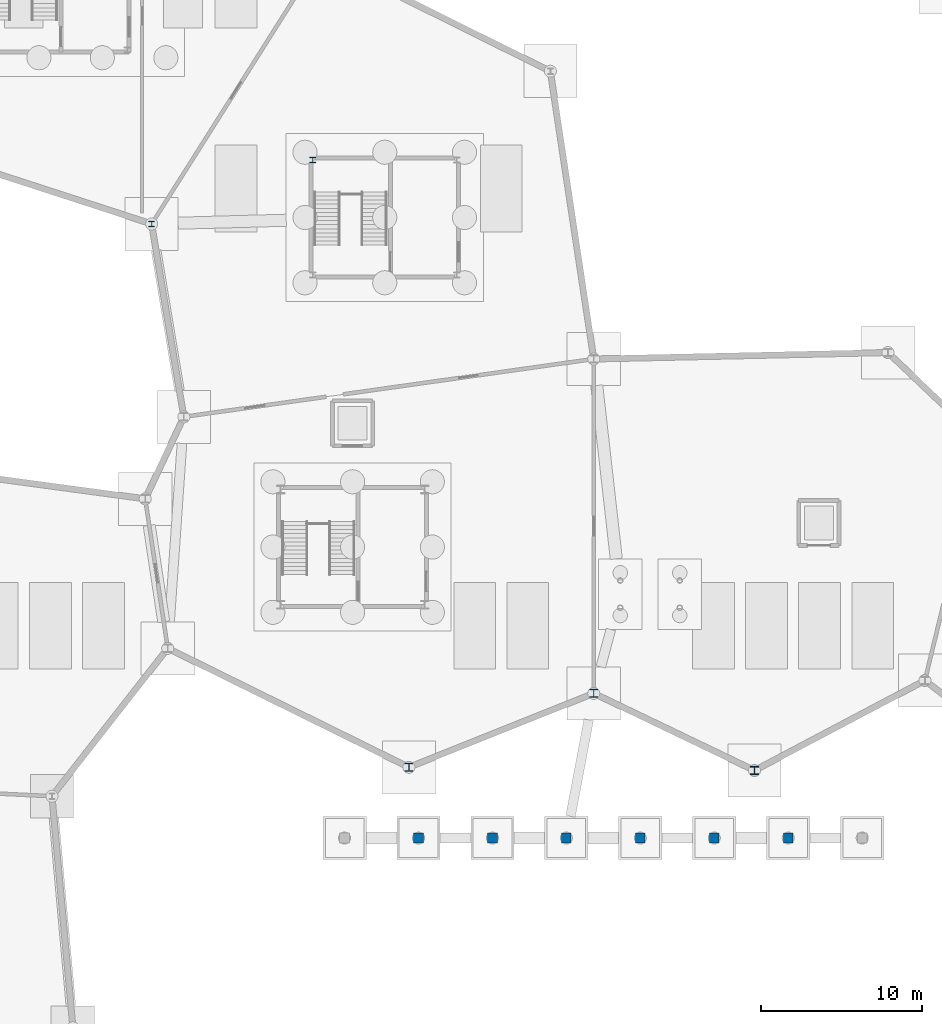
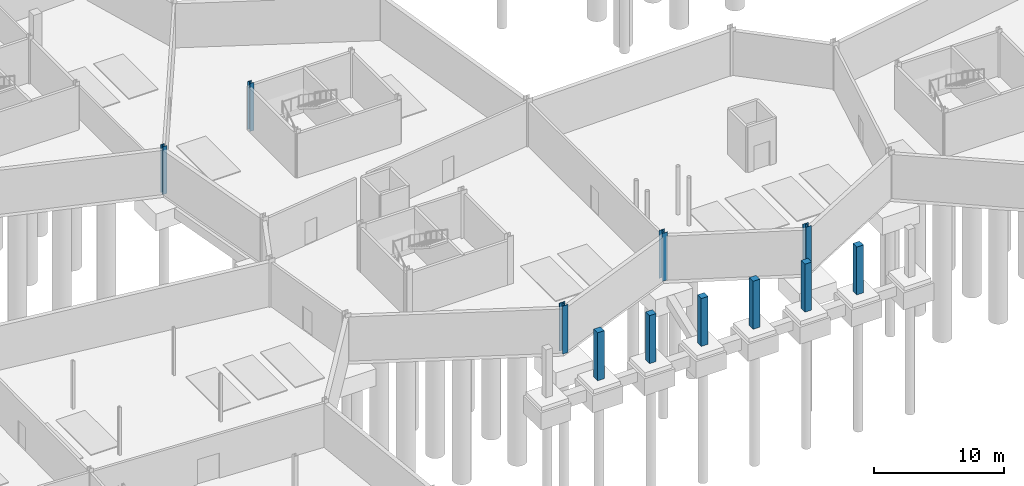
# One storey, part 11 of 37: 11 columns.
"""IFC4 building model written with IfcOpenShell, lengths in metres."""

import ifcopenshell
import ifcopenshell.guid

model = None  # the IFC model being written
_history = None  # IfcOwnerHistory: only IFC2X3 demands one
_inside = {}  # id of a spatial element -> (the spatial element, [elements in it])
_under = {}  # id of a project, library or spatial element -> (it, [spatial elements below it])
_declared = {}  # id of a project -> (the project, [libraries it declares])
_typed = {}  # id of a type object -> (the type object, [elements of that type])
_made_of = {}  # id of a material, layer set ... -> (it, [elements and type objects made of it])


def new_model(schema):
    """Start an empty IFC model of exactly this schema.

    Asked for "IFC4X3", IfcOpenShell would pick the latest addendum, in which some entities
    have other attributes; the version numbers below select the first issue.
    IFC2X3 requires an IfcOwnerHistory on every rooted entity: one is made here for all.
    """
    global model, _history
    if schema == "IFC4X3":
        model = ifcopenshell.file(schema_version=(4, 3, 0, 0))
    else:
        model = ifcopenshell.file(schema=schema)
    _inside.clear()
    _under.clear()
    _declared.clear()
    _typed.clear()
    _made_of.clear()
    _history = None
    if model.schema == "IFC2X3":
        org = make("IfcOrganization", Name="unknown")
        user = make(
            "IfcPersonAndOrganization",
            ThePerson=make("IfcPerson", FamilyName="unknown"),
            TheOrganization=org,
        )
        app = make(
            "IfcApplication",
            ApplicationDeveloper=org,
            Version="unknown",
            ApplicationFullName="unknown",
            ApplicationIdentifier="unknown",
        )
        _history = make(
            "IfcOwnerHistory",
            OwningUser=user,
            OwningApplication=app,
            ChangeAction="ADDED",
            CreationDate=0,
        )
    return model


def make(cls, **values):
    """One entity of the class cls with the attributes given. An attribute that is None is left unset."""
    return model.create_entity(
        cls, **{name: value for name, value in values.items() if value is not None}
    )


def rooted(cls, **values):
    """An entity with a GlobalId (a new one), such as an element, a storey or a relation."""
    return make(cls, GlobalId=ifcopenshell.guid.new(), OwnerHistory=_history, **values)


def si_unit(unit_type, name, prefix=None):
    """IfcSIUnit, for example si_unit("LENGTHUNIT", "METRE", prefix="MILLI")."""
    return make("IfcSIUnit", UnitType=unit_type, Prefix=prefix, Name=name)


def assignment(units):
    """IfcUnitAssignment: the units of a project."""
    return None if units is None else make("IfcUnitAssignment", Units=units)


def point(xyz):
    """IfcCartesianPoint."""
    return None if xyz is None else make("IfcCartesianPoint", Coordinates=xyz)


def direction(xyz):
    """IfcDirection."""
    return None if xyz is None else make("IfcDirection", DirectionRatios=xyz)


def frame(location, z_axis=None, x_axis=None):
    """IfcAxis2Placement3D, a coordinate frame: its origin and axes. An axis left out is left unset."""
    return make(
        "IfcAxis2Placement3D",
        Location=point(location),
        Axis=direction(z_axis),
        RefDirection=direction(x_axis),
    )


def frame_2d(location, x_axis=None):
    """IfcAxis2Placement2D, a coordinate frame in the plane: its origin and x axis."""
    return make(
        "IfcAxis2Placement2D", Location=point(location), RefDirection=direction(x_axis)
    )


def origin():
    """The frame at (0, 0, 0) with its axes left unset."""
    return frame((0.0, 0.0, 0.0))


def origin_2d():
    """The frame at (0, 0) in the plane with its x axis left unset."""
    return frame_2d((0.0, 0.0))


def place(relative_to, where):
    """IfcLocalPlacement: puts the frame where relative to a parent placement (None: the world)."""
    return make(
        "IfcLocalPlacement", PlacementRelTo=relative_to, RelativePlacement=where
    )


def context(
    kind, dimensions, precision=None, world=None, true_north=None, identifier=None
):
    """IfcGeometricRepresentationContext, for example the 3D "Model" context."""
    return make(
        "IfcGeometricRepresentationContext",
        ContextIdentifier=identifier,
        ContextType=kind,
        CoordinateSpaceDimension=dimensions,
        Precision=precision,
        WorldCoordinateSystem=world,
        TrueNorth=true_north,
    )


def subcontext(parent, identifier, kind, view, scale=None):
    """IfcGeometricRepresentationSubContext, for example "Body" below "Model"."""
    return make(
        "IfcGeometricRepresentationSubContext",
        ContextIdentifier=identifier,
        ContextType=kind,
        ParentContext=parent,
        TargetScale=scale,
        TargetView=view,
    )


def project(units=None, contexts=None):
    """IfcProject with its units and contexts."""
    return rooted(
        "IfcProject",
        Name="project",
        RepresentationContexts=contexts,
        UnitsInContext=assignment(units),
    )


def spatial(cls, under=None, at=None, **own):
    """A site, building, storey or space (cls), placed at a placement, below another one or the project."""
    s = rooted(cls, ObjectPlacement=at, **own)
    if under is not None:
        _under.setdefault(under.id(), (under, []))[1].append(s)
    return s


def profile(cls, at=None, kind="AREA", **sizes):
    """A parametric profile (cls). Its sizes go by their IFC names, for example OverallWidth=200.0."""
    return make(cls, ProfileType=kind, Position=at, **sizes)


def rectangle(**sizes):
    """IfcRectangleProfileDef."""
    return profile("IfcRectangleProfileDef", **sizes)


def i_section(**sizes):
    """IfcIShapeProfileDef."""
    return profile("IfcIShapeProfileDef", **sizes)


def extrude(swept, where, along, depth):
    """IfcExtrudedAreaSolid: the profile swept, set in the frame where, extruded along a direction by depth."""
    return make(
        "IfcExtrudedAreaSolid",
        SweptArea=swept,
        Position=where,
        ExtrudedDirection=direction(along),
        Depth=depth,
    )


def shape(context_of_items, identifier, shape_type, items):
    """IfcShapeRepresentation: the items that make up one representation, for example the "Body"."""
    return make(
        "IfcShapeRepresentation",
        ContextOfItems=context_of_items,
        RepresentationIdentifier=identifier,
        RepresentationType=shape_type,
        Items=items,
    )


def material(Name=None, Category=None):
    """IfcMaterial."""
    return make("IfcMaterial", Name=Name, Category=Category)


def material_profile(
    of_material, cross_section, Name=None, Category=None, Priority=None
):
    """IfcMaterialProfile: a cross section and its material."""
    return make(
        "IfcMaterialProfile",
        Name=Name,
        Material=of_material,
        Profile=cross_section,
        Priority=Priority,
        Category=Category,
    )


def profile_set(profiles, Name=None, composite=None):
    """IfcMaterialProfileSet."""
    return make(
        "IfcMaterialProfileSet",
        Name=Name,
        MaterialProfiles=profiles,
        CompositeProfile=composite,
    )


def made_of(thing, what):
    """Note that an element or type object is made of a material, layer set ...; save() writes the relation."""
    if what is not None:
        _made_of.setdefault(what.id(), (what, []))[1].append(thing)
    return thing


def type_object(cls, material=None, **own):
    """A type object (cls), such as IfcWallType, which elements share."""
    return made_of(rooted(cls, **own), material)


def element(
    cls,
    number,
    at=None,
    inside=None,
    cuts=None,
    type_object=None,
    material=None,
    context=None,
    identifier="Body",
    shape_type=None,
    held_by="IfcProductDefinitionShape",
    body=None,
    shapes=None,
    **own,
):
    """One element of the class cls, such as IfcWall. Its Tag is "e" and its number.

    at: its placement. inside: the storey or other place that contains it. cuts: it is an
    opening in that element (IfcRelVoidsElement). A single representation is given by context,
    identifier, shape_type and body (its items); several are given by shapes. held_by: the class
    of the entity that holds the representations. save() writes the other relations.
    """
    e = rooted(cls, Tag="e%d" % number, ObjectPlacement=at, **own)
    if body is not None:
        shapes = [shape(context, identifier, shape_type, body)]
    if shapes is not None:
        e.Representation = make(held_by, Representations=shapes)
    if inside is not None:
        _inside.setdefault(inside.id(), (inside, []))[1].append(e)
    if cuts is not None:
        rooted(
            "IfcRelVoidsElement", RelatingBuildingElement=cuts, RelatedOpeningElement=e
        )
    if type_object is not None:
        _typed.setdefault(type_object.id(), (type_object, []))[1].append(e)
    return made_of(e, material)


def aggregate(whole, parts):
    """IfcRelAggregates: a whole, such as a stair, and the parts it consists of."""
    return rooted("IfcRelAggregates", RelatingObject=whole, RelatedObjects=parts)


def save(model, path):
    """Write the relations noted so far, then the file.

    IfcRelAggregates (storeys below a building ...), IfcRelContainedInSpatialStructure (elements
    in a storey), IfcRelDefinesByType, IfcRelAssociatesMaterial and IfcRelDeclares: one each for
    every whole, place, type object, material and project.
    """
    for whole, parts in _under.values():
        aggregate(whole, parts)
    for where, things in _inside.values():
        rooted(
            "IfcRelContainedInSpatialStructure",
            RelatedElements=things,
            RelatingStructure=where,
        )
    for kind, things in _typed.values():
        rooted("IfcRelDefinesByType", RelatedObjects=things, RelatingType=kind)
    for what, things in _made_of.values():
        rooted("IfcRelAssociatesMaterial", RelatedObjects=things, RelatingMaterial=what)
    for by, libraries in _declared.values():
        rooted("IfcRelDeclares", RelatingContext=by, RelatedDefinitions=libraries)
    model.write(path)


model = new_model("IFC4")

# Units and contexts
model_context = context("Model", 3, precision=1e-05, world=origin(), true_north=direction((0.0, 1.0)))
body_context = subcontext(model_context, "Body", "Model", "MODEL_VIEW")
ifc_project = project(units=[si_unit("LENGTHUNIT", "METRE"), si_unit("AREAUNIT", "SQUARE_METRE"), si_unit("VOLUMEUNIT", "CUBIC_METRE"), si_unit("PLANEANGLEUNIT", "RADIAN"), si_unit("MASSUNIT", "GRAM", prefix="KILO")], contexts=[model_context])

# Site, building, storey
site_placement = place(None, origin())
site = spatial("IfcSite", under=ifc_project, at=site_placement, CompositionType="ELEMENT")
building_placement = place(site_placement, origin())
building = spatial("IfcBuilding", under=site, at=building_placement, Name="Tameran Prism Museum", CompositionType="ELEMENT")
storey_placement = place(building_placement, frame((0.0, 0.0, -4.5)))
storey = spatial("IfcBuildingStorey", under=building, at=storey_placement, Name="B1", CompositionType="ELEMENT", Elevation=-4.5)

# Columns
ifc_material_1 = material(Name="Concrete N50 (50 MPa)", Category="concrete")
ifc_material_profile_1 = material_profile(ifc_material_1, rectangle(XDim=0.60009765625, YDim=0.60009765625, at=origin_2d()))
ifc_profile_set_1 = profile_set([ifc_material_profile_1])
column_type_1 = type_object("IfcColumnType", Name="COL-RC600", PredefinedType="COLUMN", material=ifc_profile_set_1)
for number, where, z_axis, x_axis, name in (
    (1, (66.60009765625, 18.39990234375, 0.0), (0.0, 0.0, 1.0), (1.0, 0.0, 0.0), "Column CP-02 B1"),
    (2, (71.199951171875, 18.39990234375, 0.0), (0.0, 0.0, 1.0), (1.0, 0.0, 0.0), "Column CP-03 B1"),
    (3, (75.800048828125, 18.39990234375, 0.0), (0.0, 0.0, 1.0), (1.0, 0.0, 0.0), "Column CP-04 B1"),
    (4, (80.39990234375, 18.39990234375, 0.0), (0.0, 0.0, 1.0), (1.0, 0.0, 0.0), "Column CP-05 B1"),
    (5, (85.0, 18.39990234375, 0.0), (0.0, 0.0, 1.0), (1.0, 0.0, 0.0), "Column CP-06 B1"),
    (6, (89.60009765625, 18.39990234375, 0.0), (0.0, 0.0, 1.0), (1.0, 0.0, 0.0), "Column CP-07 B1"),
):
    element("IfcColumn", number, at=place(storey_placement, frame(where, z_axis=z_axis, x_axis=x_axis)), inside=storey, type_object=column_type_1, Name=name, PredefinedType="COLUMN", context=body_context, shape_type="SweptSolid", body=[
        extrude(rectangle(XDim=0.60009765625, YDim=0.60009765625, at=origin_2d()), origin(), (0.0, 0.0, 1.0), 4.5),
    ])
ifc_material_2 = material(Name="Steel Grade 350 (350 MPa)", Category="steel")
ifc_material_profile_2 = material_profile(ifc_material_2, i_section(OverallWidth=0.35009765625, OverallDepth=0.35009765625, WebThickness=0.02001953125, FlangeThickness=0.028076171875, at=origin_2d()))
ifc_profile_set_2 = profile_set([ifc_material_profile_2])
column_type_2 = type_object("IfcColumnType", Name="COL-WC350", PredefinedType="COLUMN", material=ifc_profile_set_2)
for number, where, z_axis, x_axis, name in (
    (7, (50.0, 56.60009765625, 0.0), (0.0, 0.0, 1.0), (1.0, 0.0, 0.0), "Column CV-26 B1"),
    (8, (60.02001953125, 60.580078125, 0.0), (0.0, 0.0, 1.0), (1.0, 0.0, 0.0), "Column CC-8-4 B1"),
):
    element("IfcColumn", number, at=place(storey_placement, frame(where, z_axis=z_axis, x_axis=x_axis)), inside=storey, type_object=column_type_2, Name=name, PredefinedType="COLUMN", context=body_context, shape_type="SweptSolid", body=[
        extrude(i_section(OverallWidth=0.35009765625, OverallDepth=0.35009765625, WebThickness=0.02001953125, FlangeThickness=0.028076171875, at=origin_2d()), origin(), (0.0, 0.0, 1.0), 4.5),
    ])
ifc_material_3 = material(Name="Steel Grade 350 (350 MPa)", Category="steel")
ifc_material_profile_3 = material_profile(ifc_material_3, i_section(OverallWidth=0.5, OverallDepth=0.5, WebThickness=0.02197265625, FlangeThickness=0.035888671875, at=origin_2d()))
ifc_profile_set_3 = profile_set([ifc_material_profile_3])
column_type_3 = type_object("IfcColumnType", Name="COL-WC500", PredefinedType="COLUMN", material=ifc_profile_set_3)
for number, where, z_axis, x_axis, name in (
    (9, (66.0, 22.800048828125, 0.0), (0.0, 0.0, 1.0), (1.0, 0.0, 0.0), "Column CV-32 B1"),
    (10, (77.5, 27.39990234375, 0.0), (0.0, 0.0, 1.0), (1.0, 0.0, 0.0), "Column CV-34 B1"),
    (11, (87.5, 22.60009765625, 0.0), (0.0, 0.0, 1.0), (1.0, 0.0, 0.0), "Column CV-36 B1"),
):
    element("IfcColumn", number, at=place(storey_placement, frame(where, z_axis=z_axis, x_axis=x_axis)), inside=storey, type_object=column_type_3, Name=name, PredefinedType="COLUMN", context=body_context, shape_type="SweptSolid", body=[
        extrude(i_section(OverallWidth=0.5, OverallDepth=0.5, WebThickness=0.02197265625, FlangeThickness=0.035888671875, at=origin_2d()), origin(), (0.0, 0.0, 1.0), 4.5),
    ])

save(model, "model.ifc")
